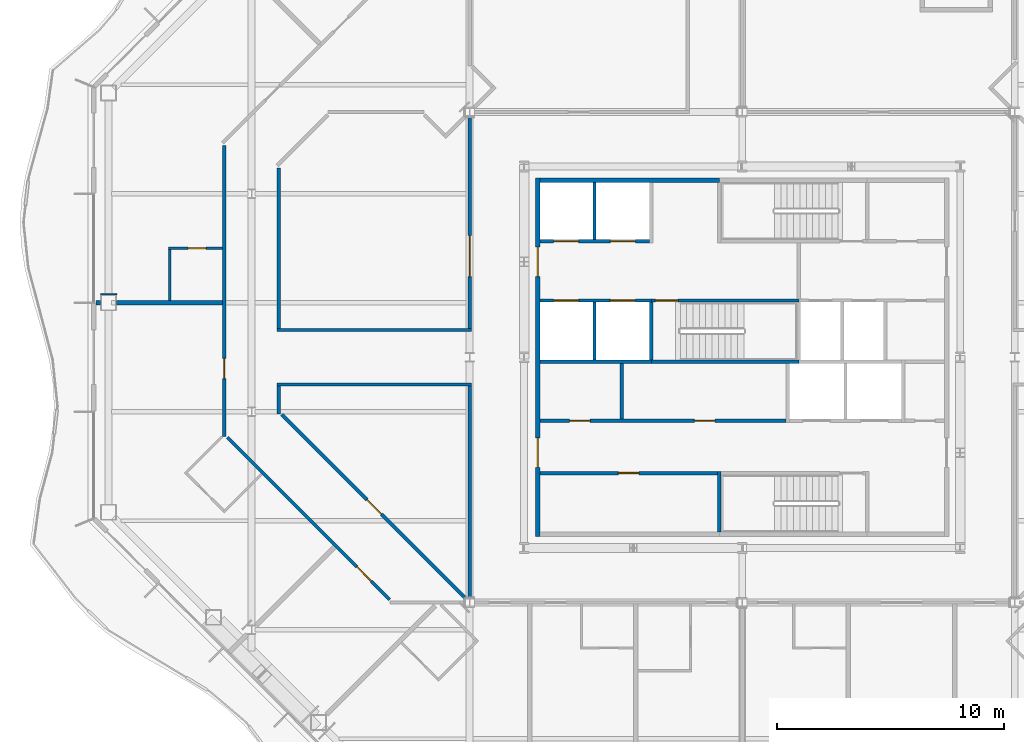
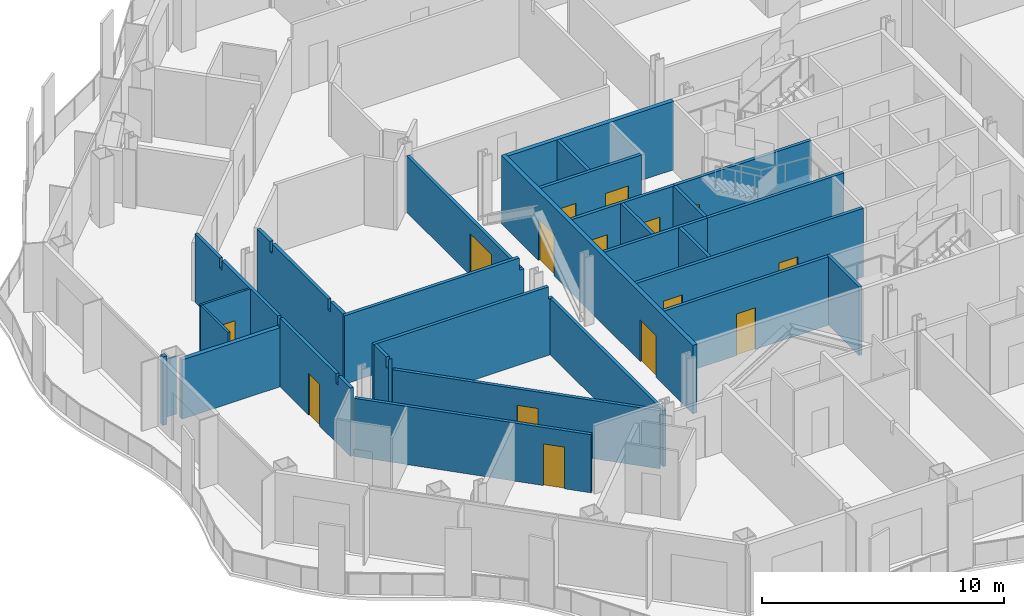
# One storey, part 8 of 21: 28 walls, 15 doors, 15 openings.
"""IFC4 building model written with IfcOpenShell, lengths in metres."""

from ifc_helpers import new_model, si_unit, direction, frame, frame_2d, origin, place, context, subcontext, project, spatial, polyline, rectangle, outline, extrude, material, layer, layer_set, type_object, element, fill, save


model = new_model("IFC4")

# Units and contexts
model_context = context("Model", 3, precision=1e-05, world=origin(), true_north=direction((0.0, 1.0)))
body_context = subcontext(model_context, "Body", "Model", "MODEL_VIEW")
ifc_project = project(units=[si_unit("LENGTHUNIT", "METRE"), si_unit("AREAUNIT", "SQUARE_METRE"), si_unit("VOLUMEUNIT", "CUBIC_METRE"), si_unit("PLANEANGLEUNIT", "RADIAN"), si_unit("MASSUNIT", "GRAM", prefix="KILO")], contexts=[model_context])

# Site, building, storey
site_placement = place(None, origin())
site = spatial("IfcSite", under=ifc_project, at=site_placement, CompositionType="ELEMENT")
building_placement = place(site_placement, origin())
building = spatial("IfcBuilding", under=site, at=building_placement, Name="Cairn Pilgrim Tower", CompositionType="ELEMENT")
storey_placement = place(building_placement, frame((0.0, 0.0, 139.800048828125)))
storey = spatial("IfcBuildingStorey", under=building, at=storey_placement, Name="L34", CompositionType="ELEMENT", Elevation=139.800048828125)

# Wall
ifc_material_1 = material(Name="Concrete C32/40", Category="concrete")
ifc_layer_1 = layer(ifc_material_1, 0.199951171875)
ifc_layer_set_1 = layer_set([ifc_layer_1], Name="CORE OUTER WALL 200 EI 120")
wall_type_1 = type_object("IfcWallType", Name="CORE OUTER WALL 200 EI 120", PredefinedType="SOLIDWALL", material=ifc_layer_set_1)
wall_1_placement = place(storey_placement, frame((-1.699951171875, 10.199951171875, 0.0), z_axis=(0.0, 0.0, 1.0), x_axis=(1.0, 0.0, 0.0)))
element("IfcWall", 1, at=wall_1_placement, inside=storey, type_object=wall_type_1, Name="CW:L34:H12-1", PredefinedType="SOLIDWALL", context=body_context, shape_type="SweptSolid", body=[
    extrude(rectangle(XDim=7.89990234375, YDim=0.199951171875, at=frame_2d((3.949951171875, 0.0))), origin(), (0.0, 0.0, 1.0), 3.449951171875),
])

# Wall, openings, doors
wall_2_placement = place(storey_placement, frame((-1.800048828125, -5.5, 0.0), z_axis=(0.0, 0.0, 1.0), x_axis=(0.0, 1.0, 0.0)))
wall_2 = element("IfcWall", 2, at=wall_2_placement, inside=storey, type_object=wall_type_1, Name="CW:L34:V13", PredefinedType="SOLIDWALL", context=body_context, shape_type="SweptSolid", body=[
    extrude(rectangle(XDim=15.800048828125, YDim=0.199951171875, at=frame_2d((7.89990234375, 0.0))), origin(), (0.0, 0.0, 1.0), 3.449951171875),
])
opening_1_placement = place(wall_2_placement, frame((3.050048828125, 0.0, 0.0)))
opening_1 = element("IfcOpeningElement", 3, at=opening_1_placement, cuts=wall_2, Name="Opening CD-W1", PredefinedType="OPENING", context=body_context, shape_type="SweptSolid", body=[
    extrude(rectangle(XDim=1.300048828125, YDim=2.10009765625, at=frame_2d((0.64990234375, 1.050048828125))), frame((0.0, 0.10986328125, 0.0), z_axis=(0.0, -1.0, 0.0), x_axis=(1.0, 0.0, 0.0)), (0.0, 0.0, 1.0), 0.219970703125),
])
opening_2_placement = place(wall_2_placement, frame((11.449951171875, 0.0, 0.0)))
opening_2 = element("IfcOpeningElement", 4, at=opening_2_placement, cuts=wall_2, Name="Opening CD-W2", PredefinedType="OPENING", context=body_context, shape_type="SweptSolid", body=[
    extrude(rectangle(XDim=1.300048828125, YDim=2.10009765625, at=frame_2d((0.64990234375, 1.050048828125))), frame((0.0, 0.10986328125, 0.0), z_axis=(0.0, -1.0, 0.0), x_axis=(1.0, 0.0, 0.0)), (0.0, 0.0, 1.0), 0.219970703125),
])
ifc_material_2 = material(Name="Painted steel", Category="steel")
door_type_1 = type_object("IfcDoorType", Name="CORE LOBBY DOOR 1300x2100", OperationType="DOUBLE_DOOR_SINGLE_SWING", PredefinedType="DOOR", material=ifc_material_2)
door_1_placement = place(opening_1_placement, origin())
door_1 = element("IfcDoor", 5, at=door_1_placement, inside=storey, type_object=door_type_1, Name="CD-W1", OperationType="DOUBLE_DOOR_SINGLE_SWING", OverallHeight=2.10009765625, OverallWidth=1.300048828125, PredefinedType="DOOR", context=body_context, shape_type="SweptSolid", body=[
    extrude(rectangle(XDim=1.300048828125, YDim=2.10009765625, at=frame_2d((0.64990234375, 1.050048828125))), frame((0.0, 0.02490234375, 0.0), z_axis=(0.0, -1.0, 0.0), x_axis=(1.0, 0.0, 0.0)), (0.0, 0.0, 1.0), 0.050048828125),
])
fill(opening_1, door_1)
door_2_placement = place(opening_2_placement, origin())
door_2 = element("IfcDoor", 6, at=door_2_placement, inside=storey, type_object=door_type_1, Name="CD-W2", OperationType="DOUBLE_DOOR_SINGLE_SWING", OverallHeight=2.10009765625, OverallWidth=1.300048828125, PredefinedType="DOOR", context=body_context, shape_type="SweptSolid", body=[
    extrude(rectangle(XDim=1.300048828125, YDim=2.10009765625, at=frame_2d((0.64990234375, 1.050048828125))), frame((0.0, 0.02490234375, 0.0), z_axis=(0.0, -1.0, 0.0), x_axis=(1.0, 0.0, 0.0)), (0.0, 0.0, 1.0), 0.050048828125),
])
fill(opening_2, door_2)

# Wall, opening, door
ifc_layer_2 = layer(ifc_material_1, 0.14990234375)
ifc_layer_set_2 = layer_set([ifc_layer_2], Name="CORE PARTITION 150 EI 60")
wall_type_2 = type_object("IfcWallType", Name="CORE PARTITION 150 EI 60", PredefinedType="PARTITIONING", material=ifc_layer_set_2)
wall_3_placement = place(storey_placement, frame((-1.699951171875, -2.699951171875, 0.0), z_axis=(0.0, 0.0, 1.0), x_axis=(1.0, 0.0, 0.0)))
wall_3 = element("IfcWall", 7, at=wall_3_placement, inside=storey, type_object=wall_type_2, Name="CW:L34:H02", PredefinedType="PARTITIONING", context=body_context, shape_type="SweptSolid", body=[
    extrude(rectangle(XDim=7.824951171875, YDim=0.14990234375, at=frame_2d((3.91259765625, 0.0))), origin(), (0.0, 0.0, 1.0), 3.449951171875),
])
opening_3_placement = place(wall_3_placement, frame((3.449951171875, 0.0, 0.0)))
opening_3 = element("IfcOpeningElement", 8, at=opening_3_placement, cuts=wall_3, Name="Opening RD-R1W1", PredefinedType="OPENING", context=body_context, shape_type="SweptSolid", body=[
    extrude(rectangle(XDim=0.89990234375, YDim=2.10009765625, at=frame_2d((0.449951171875, 1.050048828125))), frame((0.0, 0.0849609375, 0.0), z_axis=(0.0, -1.0, 0.0), x_axis=(1.0, 0.0, 0.0)), (0.0, 0.0, 1.0), 0.169921875),
])
door_type_2 = type_object("IfcDoorType", Name="SERVICE ROOM DOOR 900x2100", OperationType="SINGLE_SWING_LEFT", PredefinedType="DOOR", material=ifc_material_2)
door_3_placement = place(opening_3_placement, origin())
door_3 = element("IfcDoor", 9, at=door_3_placement, inside=storey, type_object=door_type_2, Name="RD-R1W1", OperationType="SINGLE_SWING_LEFT", OverallHeight=2.10009765625, OverallWidth=0.89990234375, PredefinedType="DOOR", context=body_context, shape_type="SweptSolid", body=[
    extrude(rectangle(XDim=0.89990234375, YDim=2.10009765625, at=frame_2d((0.449951171875, 1.050048828125))), frame((0.0, 0.02490234375, 0.0), z_axis=(0.0, -1.0, 0.0), x_axis=(1.0, 0.0, 0.0)), (0.0, 0.0, 1.0), 0.050048828125),
])
fill(opening_3, door_3)

# Wall, openings, doors
wall_4_placement = place(storey_placement, frame((-1.699951171875, -0.39990234375, 0.0), z_axis=(0.0, 0.0, 1.0), x_axis=(1.0, 0.0, 0.0)))
wall_4 = element("IfcWall", 10, at=wall_4_placement, inside=storey, type_object=wall_type_2, Name="CW:L34:H04", PredefinedType="PARTITIONING", context=body_context, shape_type="SweptSolid", body=[
    extrude(rectangle(XDim=10.824951171875, YDim=0.14990234375, at=frame_2d((5.41259765625, 0.0))), origin(), (0.0, 0.0, 1.0), 3.449951171875),
])
opening_4_placement = place(wall_4_placement, frame((1.300048828125, 0.0, 0.0)))
opening_4 = element("IfcOpeningElement", 11, at=opening_4_placement, cuts=wall_4, Name="Opening RD-R2W1", PredefinedType="OPENING", context=body_context, shape_type="SweptSolid", body=[
    extrude(rectangle(XDim=0.89990234375, YDim=2.10009765625, at=frame_2d((0.449951171875, 1.050048828125))), frame((0.0, 0.0849609375, 0.0), z_axis=(0.0, -1.0, 0.0), x_axis=(1.0, 0.0, 0.0)), (0.0, 0.0, 1.0), 0.169921875),
])
opening_5_placement = place(wall_4_placement, frame((6.800048828125, 0.0, 0.0)))
opening_5 = element("IfcOpeningElement", 12, at=opening_5_placement, cuts=wall_4, Name="Opening RD-R2W2", PredefinedType="OPENING", context=body_context, shape_type="SweptSolid", body=[
    extrude(rectangle(XDim=0.89990234375, YDim=2.10009765625, at=frame_2d((0.449951171875, 1.050048828125))), frame((0.0, 0.0849609375, 0.0), z_axis=(0.0, -1.0, 0.0), x_axis=(1.0, 0.0, 0.0)), (0.0, 0.0, 1.0), 0.169921875),
])
door_4_placement = place(opening_4_placement, origin())
door_4 = element("IfcDoor", 13, at=door_4_placement, inside=storey, type_object=door_type_2, Name="RD-R2W1", OperationType="SINGLE_SWING_RIGHT", OverallHeight=2.10009765625, OverallWidth=0.89990234375, PredefinedType="DOOR", context=body_context, shape_type="SweptSolid", body=[
    extrude(rectangle(XDim=0.89990234375, YDim=2.10009765625, at=frame_2d((0.449951171875, 1.050048828125))), frame((0.0, 0.02490234375, 0.0), z_axis=(0.0, -1.0, 0.0), x_axis=(1.0, 0.0, 0.0)), (0.0, 0.0, 1.0), 0.050048828125),
])
fill(opening_4, door_4)
door_5_placement = place(opening_5_placement, origin())
door_5 = element("IfcDoor", 14, at=door_5_placement, inside=storey, type_object=door_type_2, Name="RD-R2W2", OperationType="SINGLE_SWING_LEFT", OverallHeight=2.10009765625, OverallWidth=0.89990234375, PredefinedType="DOOR", context=body_context, shape_type="SweptSolid", body=[
    extrude(rectangle(XDim=0.89990234375, YDim=2.10009765625, at=frame_2d((0.449951171875, 1.050048828125))), frame((0.0, 0.02490234375, 0.0), z_axis=(0.0, -1.0, 0.0), x_axis=(1.0, 0.0, 0.0)), (0.0, 0.0, 1.0), 0.050048828125),
])
fill(opening_5, door_5)

# Walls
wall_5_placement = place(storey_placement, frame((1.89990234375, -0.324951171875, 0.0), z_axis=(0.0, 0.0, 1.0), x_axis=(0.0, 1.0, 0.0)))
element("IfcWall", 15, at=wall_5_placement, inside=storey, type_object=wall_type_2, Name="CW:L34:V16", PredefinedType="PARTITIONING", context=body_context, shape_type="SweptSolid", body=[
    extrude(rectangle(XDim=2.449951171875, YDim=0.14990234375, at=frame_2d((1.22509765625, 0.0))), origin(), (0.0, 0.0, 1.0), 3.449951171875),
])
ifc_layer_3 = layer(ifc_material_1, 0.14990234375)
ifc_layer_set_3 = layer_set([ifc_layer_3], Name="CORE SHAFT WALL 150 EI 120")
wall_type_3 = type_object("IfcWallType", Name="CORE SHAFT WALL 150 EI 120", PredefinedType="SOLIDWALL", material=ifc_layer_set_3)
wall_6_placement = place(storey_placement, frame((-1.699951171875, 2.199951171875, 0.0), z_axis=(0.0, 0.0, 1.0), x_axis=(1.0, 0.0, 0.0)))
element("IfcWall", 16, at=wall_6_placement, inside=storey, type_object=wall_type_3, Name="CW:L34:H07-1", PredefinedType="SOLIDWALL", context=body_context, shape_type="SweptSolid", body=[
    extrude(rectangle(XDim=4.89990234375, YDim=0.14990234375, at=frame_2d((2.449951171875, 0.0))), origin(), (0.0, 0.0, 1.0), 3.449951171875),
])

# Wall, openings, doors
wall_7_placement = place(storey_placement, frame((-1.699951171875, 4.89990234375, 0.0), z_axis=(0.0, 0.0, 1.0), x_axis=(1.0, 0.0, 0.0)))
wall_7 = element("IfcWall", 17, at=wall_7_placement, inside=storey, type_object=wall_type_3, Name="CW:L34:H09-1", PredefinedType="SOLIDWALL", context=body_context, shape_type="SweptSolid", body=[
    extrude(rectangle(XDim=4.89990234375, YDim=0.14990234375, at=frame_2d((2.449951171875, 0.0))), origin(), (0.0, 0.0, 1.0), 3.449951171875),
])
opening_6_placement = place(wall_7_placement, frame((0.60009765625, 0.0, 0.0)))
opening_6 = element("IfcOpeningElement", 18, at=opening_6_placement, cuts=wall_7, Name="Opening LD-HR1", PredefinedType="OPENING", context=body_context, shape_type="SweptSolid", body=[
    extrude(rectangle(XDim=1.10009765625, YDim=2.10009765625, at=frame_2d((0.550048828125, 1.050048828125))), frame((0.0, 0.0849609375, 0.0), z_axis=(0.0, -1.0, 0.0), x_axis=(1.0, 0.0, 0.0)), (0.0, 0.0, 1.0), 0.169921875),
])
opening_7_placement = place(wall_7_placement, frame((3.10009765625, 0.0, 0.0)))
opening_7 = element("IfcOpeningElement", 19, at=opening_7_placement, cuts=wall_7, Name="Opening LD-HR2", PredefinedType="OPENING", context=body_context, shape_type="SweptSolid", body=[
    extrude(rectangle(XDim=1.10009765625, YDim=2.10009765625, at=frame_2d((0.550048828125, 1.050048828125))), frame((0.0, 0.0849609375, 0.0), z_axis=(0.0, -1.0, 0.0), x_axis=(1.0, 0.0, 0.0)), (0.0, 0.0, 1.0), 0.169921875),
])
ifc_material_3 = material(Name="Stainless steel", Category="steel")
door_type_3 = type_object("IfcDoorType", Name="LIFT LANDING DOOR 1100x2100", OperationType="DOUBLE_DOOR_SLIDING", PredefinedType="DOOR", material=ifc_material_3)
door_6_placement = place(opening_6_placement, origin())
door_6 = element("IfcDoor", 20, at=door_6_placement, inside=storey, type_object=door_type_3, Name="LANDING DOOR HR1", OperationType="DOUBLE_DOOR_SLIDING", OverallHeight=2.10009765625, OverallWidth=1.10009765625, PredefinedType="DOOR", context=body_context, shape_type="SweptSolid", body=[
    extrude(rectangle(XDim=1.10009765625, YDim=2.10009765625, at=frame_2d((0.550048828125, 1.050048828125))), frame((0.0, 0.02490234375, 0.0), z_axis=(0.0, -1.0, 0.0), x_axis=(1.0, 0.0, 0.0)), (0.0, 0.0, 1.0), 0.050048828125),
])
fill(opening_6, door_6)
door_7_placement = place(opening_7_placement, origin())
door_7 = element("IfcDoor", 21, at=door_7_placement, inside=storey, type_object=door_type_3, Name="LANDING DOOR HR2", OperationType="DOUBLE_DOOR_SLIDING", OverallHeight=2.10009765625, OverallWidth=1.10009765625, PredefinedType="DOOR", context=body_context, shape_type="SweptSolid", body=[
    extrude(rectangle(XDim=1.10009765625, YDim=2.10009765625, at=frame_2d((0.550048828125, 1.050048828125))), frame((0.0, 0.02490234375, 0.0), z_axis=(0.0, -1.0, 0.0), x_axis=(1.0, 0.0, 0.0)), (0.0, 0.0, 1.0), 0.050048828125),
])
fill(opening_7, door_7)

wall_8_placement = place(storey_placement, frame((-1.699951171875, 7.5, 0.0), z_axis=(0.0, 0.0, 1.0), x_axis=(1.0, 0.0, 0.0)))
wall_8 = element("IfcWall", 22, at=wall_8_placement, inside=storey, type_object=wall_type_3, Name="CW:L34:H10", PredefinedType="SOLIDWALL", context=body_context, shape_type="SweptSolid", body=[
    extrude(rectangle(XDim=4.824951171875, YDim=0.14990234375, at=frame_2d((2.41259765625, 0.0))), origin(), (0.0, 0.0, 1.0), 3.449951171875),
])
opening_8_placement = place(wall_8_placement, frame((0.60009765625, 0.0, 0.0)))
opening_8 = element("IfcOpeningElement", 23, at=opening_8_placement, cuts=wall_8, Name="Opening LD-HR3", PredefinedType="OPENING", context=body_context, shape_type="SweptSolid", body=[
    extrude(rectangle(XDim=1.10009765625, YDim=2.10009765625, at=frame_2d((0.550048828125, 1.050048828125))), frame((0.0, 0.0849609375, 0.0), z_axis=(0.0, -1.0, 0.0), x_axis=(1.0, 0.0, 0.0)), (0.0, 0.0, 1.0), 0.169921875),
])
opening_9_placement = place(wall_8_placement, frame((3.10009765625, 0.0, 0.0)))
opening_9 = element("IfcOpeningElement", 24, at=opening_9_placement, cuts=wall_8, Name="Opening LD-HR4", PredefinedType="OPENING", context=body_context, shape_type="SweptSolid", body=[
    extrude(rectangle(XDim=1.10009765625, YDim=2.10009765625, at=frame_2d((0.550048828125, 1.050048828125))), frame((0.0, 0.0849609375, 0.0), z_axis=(0.0, -1.0, 0.0), x_axis=(1.0, 0.0, 0.0)), (0.0, 0.0, 1.0), 0.169921875),
])
door_8_placement = place(opening_8_placement, origin())
door_8 = element("IfcDoor", 25, at=door_8_placement, inside=storey, type_object=door_type_3, Name="LANDING DOOR HR3", OperationType="DOUBLE_DOOR_SLIDING", OverallHeight=2.10009765625, OverallWidth=1.10009765625, PredefinedType="DOOR", context=body_context, shape_type="SweptSolid", body=[
    extrude(rectangle(XDim=1.10009765625, YDim=2.10009765625, at=frame_2d((0.550048828125, 1.050048828125))), frame((0.0, 0.02490234375, 0.0), z_axis=(0.0, -1.0, 0.0), x_axis=(1.0, 0.0, 0.0)), (0.0, 0.0, 1.0), 0.050048828125),
])
fill(opening_8, door_8)
door_9_placement = place(opening_9_placement, origin())
door_9 = element("IfcDoor", 26, at=door_9_placement, inside=storey, type_object=door_type_3, Name="LANDING DOOR HR4", OperationType="DOUBLE_DOOR_SLIDING", OverallHeight=2.10009765625, OverallWidth=1.10009765625, PredefinedType="DOOR", context=body_context, shape_type="SweptSolid", body=[
    extrude(rectangle(XDim=1.10009765625, YDim=2.10009765625, at=frame_2d((0.550048828125, 1.050048828125))), frame((0.0, 0.02490234375, 0.0), z_axis=(0.0, -1.0, 0.0), x_axis=(1.0, 0.0, 0.0)), (0.0, 0.0, 1.0), 0.050048828125),
])
fill(opening_9, door_9)

# Walls
wall_9_placement = place(storey_placement, frame((0.699951171875, 2.27490234375, 0.0), z_axis=(0.0, 0.0, 1.0), x_axis=(0.0, 1.0, 0.0)))
element("IfcWall", 27, at=wall_9_placement, inside=storey, type_object=wall_type_3, Name="CW:L34:V14", PredefinedType="SOLIDWALL", context=body_context, shape_type="SweptSolid", body=[
    extrude(rectangle(XDim=2.550048828125, YDim=0.14990234375, at=frame_2d((1.27490234375, 0.0))), origin(), (0.0, 0.0, 1.0), 3.449951171875),
])
wall_10_placement = place(storey_placement, frame((0.699951171875, 7.574951171875, 0.0), z_axis=(0.0, 0.0, 1.0), x_axis=(0.0, 1.0, 0.0)))
element("IfcWall", 28, at=wall_10_placement, inside=storey, type_object=wall_type_3, Name="CW:L34:V15", PredefinedType="SOLIDWALL", context=body_context, shape_type="SweptSolid", body=[
    extrude(rectangle(XDim=2.525146484375, YDim=0.14990234375, at=frame_2d((1.2626953125, 0.0))), origin(), (0.0, 0.0, 1.0), 3.449951171875),
])
ifc_material_4 = material(Name="Gypsum partition")
ifc_layer_4 = layer(ifc_material_4, 0.10009765625)
ifc_layer_set_4 = layer_set([ifc_layer_4], Name="PARTITION 100 DRYWALL")
wall_type_4 = type_object("IfcWallType", Name="PARTITION 100 DRYWALL", PredefinedType="PARTITIONING", material=ifc_layer_set_4)
wall_11_placement = place(storey_placement, frame((-18.0, 4.89990234375, 0.0), z_axis=(0.0, 0.0, 1.0), x_axis=(0.0, 1.0, 0.0)))
element("IfcWall", 29, at=wall_11_placement, inside=storey, type_object=wall_type_4, Name="PARTITION W062", PredefinedType="PARTITIONING", context=body_context, shape_type="SweptSolid", body=[
    extrude(rectangle(XDim=2.25, YDim=0.10009765625, at=frame_2d((1.125, 0.0))), origin(), (0.0, 0.0, 1.0), 3.449951171875),
])

# Wall, opening, door
wall_12_placement = place(storey_placement, frame((-18.050048828125, 7.199951171875, 0.0), z_axis=(0.0, 0.0, 1.0), x_axis=(1.0, 0.0, 0.0)))
wall_12 = element("IfcWall", 30, at=wall_12_placement, inside=storey, type_object=wall_type_4, Name="PARTITION W065", PredefinedType="PARTITIONING", context=body_context, shape_type="SweptSolid", body=[
    extrude(rectangle(XDim=2.375, YDim=0.10009765625, at=frame_2d((1.1875, 0.0))), origin(), (0.0, 0.0, 1.0), 3.449951171875),
])
opening_10_placement = place(wall_12_placement, frame((0.85009765625, 0.0, 0.0)))
opening_10 = element("IfcOpeningElement", 31, at=opening_10_placement, cuts=wall_12, Name="Opening 3417A", PredefinedType="OPENING", context=body_context, shape_type="SweptSolid", body=[
    extrude(rectangle(XDim=0.800048828125, YDim=2.10009765625, at=frame_2d((0.39990234375, 1.050048828125))), frame((0.0, 0.06005859375, 0.0), z_axis=(0.0, -1.0, 0.0), x_axis=(1.0, 0.0, 0.0)), (0.0, 0.0, 1.0), 0.1201171875),
])
ifc_material_5 = material(Name="Timber door leaf", Category="wood")
door_type_4 = type_object("IfcDoorType", Name="WC DOOR 800x2100", OperationType="NOTDEFINED", PredefinedType="DOOR", material=ifc_material_5)
door_10_placement = place(opening_10_placement, origin())
door_10 = element("IfcDoor", 32, at=door_10_placement, inside=storey, type_object=door_type_4, Name="DOOR 3417A", OperationType="SINGLE_SWING_RIGHT", OverallHeight=2.10009765625, OverallWidth=0.800048828125, PredefinedType="DOOR", context=body_context, shape_type="SweptSolid", body=[
    extrude(rectangle(XDim=0.800048828125, YDim=2.10009765625, at=frame_2d((0.39990234375, 1.050048828125))), frame((0.0, 0.02490234375, 0.0), z_axis=(0.0, -1.0, 0.0), x_axis=(1.0, 0.0, 0.0)), (0.0, 0.0, 1.0), 0.050048828125),
])
fill(opening_10, door_10)

ifc_layer_5 = layer(ifc_material_4, 0.14990234375)
ifc_layer_set_5 = layer_set([ifc_layer_5], Name="PARTITION 150 DRYWALL EI 60")
wall_type_5 = type_object("IfcWallType", Name="PARTITION 150 DRYWALL EI 60", PredefinedType="PARTITIONING", material=ifc_layer_set_5)
wall_13_placement = place(storey_placement, frame((-8.322021484375, -8.27197265625, 0.0), z_axis=(0.0, 0.0, 1.0), x_axis=(-0.707106781187, 0.707106781187, 0.0)))
wall_13 = element("IfcWall", 33, at=wall_13_placement, inside=storey, type_object=wall_type_5, Name="PARTITION W029", PredefinedType="PARTITIONING", context=body_context, shape_type="SweptSolid", body=[
    extrude(rectangle(XDim=10.111572265625, YDim=0.14990234375, at=frame_2d((5.0556640625, 0.0))), origin(), (0.0, 0.0, 1.0), 2.929931640625),
])
opening_11_placement = place(wall_13_placement, frame((1.138916015625, 0.0, 0.0)))
opening_11 = element("IfcOpeningElement", 34, at=opening_11_placement, cuts=wall_13, Name="Opening 3419", PredefinedType="OPENING", context=body_context, shape_type="SweptSolid", body=[
    extrude(rectangle(XDim=0.89990234375, YDim=2.10009765625, at=frame_2d((0.449951171875, 1.050048828125))), frame((0.0, 0.0849609375, 0.0), z_axis=(0.0, -1.0, 0.0), x_axis=(1.0, 0.0, 0.0)), (0.0, 0.0, 1.0), 0.169921875),
])
door_type_5 = type_object("IfcDoorType", Name="SERVICE DOOR 900x2100 FD30S", OperationType="NOTDEFINED", PredefinedType="DOOR", material=ifc_material_5)
door_11_placement = place(opening_11_placement, origin())
door_11 = element("IfcDoor", 35, at=door_11_placement, inside=storey, type_object=door_type_5, Name="DOOR 3419", OperationType="SINGLE_SWING_RIGHT", OverallHeight=2.10009765625, OverallWidth=0.89990234375, PredefinedType="DOOR", context=body_context, shape_type="SweptSolid", body=[
    extrude(rectangle(XDim=0.89990234375, YDim=2.10009765625, at=frame_2d((0.449951171875, 1.050048828125))), frame((0.0, 0.02490234375, 0.0), z_axis=(0.0, -1.0, 0.0), x_axis=(1.0, 0.0, 0.0)), (0.0, 0.0, 1.0), 0.050048828125),
])
fill(opening_11, door_11)

wall_14_placement = place(storey_placement, frame((-5.008544921875, -8.19140625, 0.0), z_axis=(0.0, 0.0, 1.0), x_axis=(-0.707106781187, 0.707106781187, 0.0)))
wall_14 = element("IfcWall", 36, at=wall_14_placement, inside=storey, type_object=wall_type_5, Name="PARTITION W031", PredefinedType="PARTITIONING", context=body_context, shape_type="SweptSolid", body=[
    extrude(rectangle(XDim=11.403564453125, YDim=0.14990234375, at=frame_2d((5.70166015625, 0.0))), origin(), (0.0, 0.0, 1.0), 2.929931640625),
])
opening_12_placement = place(wall_14_placement, frame((5.194580078125, 0.0, 0.0)))
opening_12 = element("IfcOpeningElement", 37, at=opening_12_placement, cuts=wall_14, Name="Opening 3430", PredefinedType="OPENING", context=body_context, shape_type="SweptSolid", body=[
    extrude(rectangle(XDim=0.89990234375, YDim=2.10009765625, at=frame_2d((0.449951171875, 1.050048828125))), frame((0.0, 0.0849609375, 0.0), z_axis=(0.0, -1.0, 0.0), x_axis=(1.0, 0.0, 0.0)), (0.0, 0.0, 1.0), 0.169921875),
])
door_12_placement = place(opening_12_placement, frame((0.89990234375, 0.0, 0.0), z_axis=(0.0, 0.0, 1.0), x_axis=(-1.0, 0.0, 0.0)))
door_12 = element("IfcDoor", 38, at=door_12_placement, inside=storey, type_object=door_type_5, Name="DOOR 3430", OperationType="SINGLE_SWING_RIGHT", OverallHeight=2.10009765625, OverallWidth=0.89990234375, PredefinedType="DOOR", context=body_context, shape_type="SweptSolid", body=[
    extrude(rectangle(XDim=0.89990234375, YDim=2.10009765625, at=frame_2d((0.449951171875, 1.050048828125))), frame((0.0, 0.02490234375, 0.0), z_axis=(0.0, -1.0, 0.0), x_axis=(1.0, 0.0, 0.0)), (0.0, 0.0, 1.0), 0.050048828125),
])
fill(opening_12, door_12)

# Wall
wall_15_placement = place(storey_placement, frame((-4.800048828125, -8.1875, 0.0), z_axis=(0.0, 0.0, 1.0), x_axis=(0.0, 1.0, 0.0)))
element("IfcWall", 39, at=wall_15_placement, inside=storey, type_object=wall_type_5, Name="PARTITION W032", PredefinedType="PARTITIONING", context=body_context, shape_type="SweptSolid", body=[
    extrude(rectangle(XDim=9.3125, YDim=0.14990234375, at=frame_2d((4.65625, 0.0))), origin(), (0.0, 0.0, 1.0), 2.829833984375),
])

# Wall, opening, door
wall_16_placement = place(storey_placement, frame((-15.60009765625, -1.10009765625, 0.0), z_axis=(0.0, 0.0, 1.0), x_axis=(0.0, 1.0, 0.0)))
wall_16 = element("IfcWall", 40, at=wall_16_placement, inside=storey, type_object=wall_type_5, Name="PARTITION W041", PredefinedType="PARTITIONING", context=body_context, shape_type="SweptSolid", body=[
    extrude(outline(polyline([(0.0, 0.0), (12.833984375, 0.0), (12.833984375, 3.449951171875), (10.795166015625, 3.449951171875), (10.793212890625, 2.97998046875), (10.60498046875, 2.97998046875), (10.60302734375, 3.449951171875), (5.9951171875, 3.449951171875), (5.9931640625, 2.97998046875), (5.80517578125, 2.97998046875), (5.802978515625, 3.449951171875), (1.195068359375, 3.449951171875), (1.193115234375, 2.97998046875), (1.005126953125, 2.97998046875), (1.003173828125, 3.449951171875), (0.0, 3.449951171875), (0.0, 0.0)])), frame((0.0, 0.074951171875, 0.0), z_axis=(0.0, -1.0, 0.0), x_axis=(1.0, 0.0, 0.0)), (0.0, 0.0, 1.0), 0.14990234375),
])
opening_13_placement = place(wall_16_placement, frame((2.552978515625, 0.0, 0.0)))
opening_13 = element("IfcOpeningElement", 41, at=opening_13_placement, cuts=wall_16, Name="Opening 3418", PredefinedType="OPENING", context=body_context, shape_type="SweptSolid", body=[
    extrude(rectangle(XDim=0.89990234375, YDim=2.10009765625, at=frame_2d((0.449951171875, 1.050048828125))), frame((0.0, 0.0849609375, 0.0), z_axis=(0.0, -1.0, 0.0), x_axis=(1.0, 0.0, 0.0)), (0.0, 0.0, 1.0), 0.169921875),
])
door_type_6 = type_object("IfcDoorType", Name="ROOM DOOR 900x2100 FD30S", OperationType="NOTDEFINED", PredefinedType="DOOR", material=ifc_material_5)
door_13_placement = place(opening_13_placement, origin())
door_13 = element("IfcDoor", 42, at=door_13_placement, inside=storey, type_object=door_type_6, Name="DOOR 3418", OperationType="SINGLE_SWING_RIGHT", OverallHeight=2.10009765625, OverallWidth=0.89990234375, PredefinedType="DOOR", context=body_context, shape_type="SweptSolid", body=[
    extrude(rectangle(XDim=0.89990234375, YDim=2.10009765625, at=frame_2d((0.449951171875, 1.050048828125))), frame((0.0, 0.02490234375, 0.0), z_axis=(0.0, -1.0, 0.0), x_axis=(1.0, 0.0, 0.0)), (0.0, 0.0, 1.0), 0.050048828125),
])
fill(opening_13, door_13)

# Walls
wall_17_placement = place(storey_placement, frame((-13.199951171875, -0.106201171875, 0.0), z_axis=(0.0, 0.0, 1.0), x_axis=(0.0, 1.0, 0.0)))
element("IfcWall", 43, at=wall_17_placement, inside=storey, type_object=wall_type_5, Name="PARTITION W043", PredefinedType="PARTITIONING", context=body_context, shape_type="SweptSolid", body=[
    extrude(outline(polyline([(0.0, 0.0), (1.231201171875, 0.0), (1.231201171875, 3.449951171875), (0.2060546875, 3.449951171875), (0.2041015625, 2.929931640625), (0.006103515625, 2.929931640625), (0.004150390625, 3.449951171875), (0.0, 3.449951171875), (0.0, 0.0)])), frame((0.0, 0.074951171875, 0.0), z_axis=(0.0, -1.0, 0.0), x_axis=(1.0, 0.0, 0.0)), (0.0, 0.0, 1.0), 0.14990234375),
])
for number, where, z_axis, x_axis, name in (
    (44, (-13.27490234375, 1.199951171875, 0.0), (0.0, 0.0, 1.0), (1.0, 0.0, 0.0), "PARTITION W047"),
    (45, (-13.27490234375, 3.60009765625, 0.0), (0.0, 0.0, 1.0), (1.0, 0.0, 0.0), "PARTITION W051"),
):
    element("IfcWall", number, at=place(storey_placement, frame(where, z_axis=z_axis, x_axis=x_axis)), inside=storey, type_object=wall_type_5, Name=name, PredefinedType="PARTITIONING", context=body_context, shape_type="SweptSolid", body=[
        extrude(outline(polyline([(0.0, 0.0), (8.5498046875, 0.0), (8.550048828125, 2.829833984375), (8.324951171875, 2.829833984375), (8.322998046875, 3.449951171875), (0.0, 3.449951171875), (0.0, 0.0)])), frame((0.0, 0.074951171875, 0.0), z_axis=(0.0, -1.0, 0.0), x_axis=(1.0, 0.0, 0.0)), (0.0, 0.0, 1.0), 0.14990234375),
    ])
wall_18_placement = place(storey_placement, frame((-13.199951171875, 3.675048828125, 0.0), z_axis=(0.0, 0.0, 1.0), x_axis=(0.0, 1.0, 0.0)))
element("IfcWall", 46, at=wall_18_placement, inside=storey, type_object=wall_type_5, Name="PARTITION W053", PredefinedType="PARTITIONING", context=body_context, shape_type="SweptSolid", body=[
    extrude(outline(polyline([(0.0, 0.0), (7.06494140625, 0.0), (7.06494140625, 3.449951171875), (6.02490234375, 3.449951171875), (6.02294921875, 2.929931640625), (5.824951171875, 2.929931640625), (5.822998046875, 3.449951171875), (1.22509765625, 3.449951171875), (1.222900390625, 2.929931640625), (1.02490234375, 2.929931640625), (1.02294921875, 3.449951171875), (0.0, 3.449951171875), (0.0, 0.0)])), frame((0.0, 0.074951171875, 0.0), z_axis=(0.0, -1.0, 0.0), x_axis=(1.0, 0.0, 0.0)), (0.0, 0.0, 1.0), 0.14990234375),
])

# Wall, opening, door
wall_19_placement = place(storey_placement, frame((-4.800048828125, 3.675048828125, 0.0), z_axis=(0.0, 0.0, 1.0), x_axis=(0.0, 1.0, 0.0)))
wall_19 = element("IfcWall", 47, at=wall_19_placement, inside=storey, type_object=wall_type_5, Name="PARTITION W054", PredefinedType="PARTITIONING", context=body_context, shape_type="SweptSolid", body=[
    extrude(rectangle(XDim=9.3125, YDim=0.14990234375, at=frame_2d((4.65625, 0.0))), origin(), (0.0, 0.0, 1.0), 2.829833984375),
])
opening_14_placement = place(wall_19_placement, frame((2.27490234375, 0.0, 0.0)))
opening_14 = element("IfcOpeningElement", 48, at=opening_14_placement, cuts=wall_19, Name="Opening 3429", PredefinedType="OPENING", context=body_context, shape_type="SweptSolid", body=[
    extrude(rectangle(XDim=1.800048828125, YDim=2.10009765625, at=frame_2d((0.89990234375, 1.050048828125))), frame((0.0, 0.0849609375, 0.0), z_axis=(0.0, -1.0, 0.0), x_axis=(1.0, 0.0, 0.0)), (0.0, 0.0, 1.0), 0.169921875),
])
door_type_7 = type_object("IfcDoorType", Name="DOOR PAIR 1800x2100 FD60S", OperationType="NOTDEFINED", PredefinedType="DOOR", material=ifc_material_5)
door_14_placement = place(opening_14_placement, origin())
door_14 = element("IfcDoor", 49, at=door_14_placement, inside=storey, type_object=door_type_7, Name="DOOR 3429", OperationType="DOUBLE_DOOR_SINGLE_SWING", OverallHeight=2.10009765625, OverallWidth=1.800048828125, PredefinedType="DOOR", context=body_context, shape_type="SweptSolid", body=[
    extrude(rectangle(XDim=1.800048828125, YDim=2.10009765625, at=frame_2d((0.89990234375, 1.050048828125))), frame((0.0, 0.02490234375, 0.0), z_axis=(0.0, -1.0, 0.0), x_axis=(1.0, 0.0, 0.0)), (0.0, 0.0, 1.0), 0.050048828125),
])
fill(opening_14, door_14)

# Walls
ifc_layer_6 = layer(ifc_material_4, 0.050048828125)
ifc_layer_set_6 = layer_set([ifc_layer_6], Name="PARTITION 50 DRYWALL EI 60")
wall_type_6 = type_object("IfcWallType", Name="PARTITION 50 DRYWALL EI 60", PredefinedType="PARTITIONING", material=ifc_layer_set_6)
wall_20_placement = place(storey_placement, frame((-21.050048828125, 5.175048828125, 0.0), z_axis=(0.0, 0.0, 1.0), x_axis=(1.0, 0.0, 0.0)))
element("IfcWall", 50, at=wall_20_placement, inside=storey, type_object=wall_type_6, Name="COLUMN CASING WC21", PredefinedType="PARTITIONING", context=body_context, shape_type="SweptSolid", body=[
    extrude(rectangle(XDim=0.699951171875, YDim=0.050048828125, at=frame_2d((0.35009765625, 0.0))), origin(), (0.0, 0.0, 1.0), 2.929931640625),
])
ifc_layer_7 = layer(ifc_material_4, 0.199951171875)
ifc_layer_set_7 = layer_set([ifc_layer_7], Name="SHAFT WALL 200 GYPSUM EI 60")
wall_type_7 = type_object("IfcWallType", Name="SHAFT WALL 200 GYPSUM EI 60", PredefinedType="PARTITIONING", material=ifc_layer_set_7)
wall_21_placement = place(storey_placement, frame((-21.25, 4.800048828125, 0.0), z_axis=(0.0, 0.0, 1.0), x_axis=(1.0, 0.0, 0.0)))
element("IfcWall", 51, at=wall_21_placement, inside=storey, type_object=wall_type_7, Name="PARTITION W058", PredefinedType="PARTITIONING", context=body_context, shape_type="SweptSolid", body=[
    extrude(rectangle(XDim=0.199951171875, YDim=0.199951171875, at=frame_2d((0.10009765625, 0.0))), origin(), (0.0, 0.0, 1.0), 3.449951171875),
])
wall_22_placement = place(storey_placement, frame((-20.35009765625, 4.800048828125, 0.0), z_axis=(0.0, 0.0, 1.0), x_axis=(1.0, 0.0, 0.0)))
element("IfcWall", 52, at=wall_22_placement, inside=storey, type_object=wall_type_7, Name="PARTITION W059", PredefinedType="PARTITIONING", context=body_context, shape_type="SweptSolid", body=[
    extrude(rectangle(XDim=4.675048828125, YDim=0.199951171875, at=frame_2d((2.33740234375, 0.0))), origin(), (0.0, 0.0, 1.0), 2.97998046875),
])
ifc_material_6 = material(Name="Concrete C35/45", Category="concrete")
ifc_layer_8 = layer(ifc_material_6, 0.14990234375)
ifc_layer_set_8 = layer_set([ifc_layer_8], Name="STAIR SHAFT WALL 150 EI 120")
wall_type_8 = type_object("IfcWallType", Name="STAIR SHAFT WALL 150 EI 120", PredefinedType="SOLIDWALL", material=ifc_layer_set_8)
wall_23_placement = place(storey_placement, frame((3.199951171875, 2.199951171875, 0.0), z_axis=(0.0, 0.0, 1.0), x_axis=(1.0, 0.0, 0.0)))
element("IfcWall", 53, at=wall_23_placement, inside=storey, type_object=wall_type_8, Name="CW:L34:H07-2", PredefinedType="SOLIDWALL", context=body_context, shape_type="SweptSolid", body=[
    extrude(rectangle(XDim=6.5, YDim=0.14990234375, at=frame_2d((3.25, 0.0))), origin(), (0.0, 0.0, 1.0), 3.449951171875),
])

# Wall, opening, door
wall_24_placement = place(storey_placement, frame((3.199951171875, 4.89990234375, 0.0), z_axis=(0.0, 0.0, 1.0), x_axis=(1.0, 0.0, 0.0)))
wall_24 = element("IfcWall", 54, at=wall_24_placement, inside=storey, type_object=wall_type_8, Name="CW:L34:H09-2", PredefinedType="SOLIDWALL", context=body_context, shape_type="SweptSolid", body=[
    extrude(rectangle(XDim=6.5, YDim=0.14990234375, at=frame_2d((3.25, 0.0))), origin(), (0.0, 0.0, 1.0), 3.449951171875),
])
opening_15_placement = place(wall_24_placement, frame((0.175048828125, 0.0, 0.0)))
opening_15 = element("IfcOpeningElement", 55, at=opening_15_placement, cuts=wall_24, Name="Opening SD-B", PredefinedType="OPENING", context=body_context, shape_type="SweptSolid", body=[
    extrude(rectangle(XDim=1.0, YDim=2.10009765625, at=frame_2d((0.5, 1.050048828125))), frame((0.0, 0.0849609375, 0.0), z_axis=(0.0, -1.0, 0.0), x_axis=(1.0, 0.0, 0.0)), (0.0, 0.0, 1.0), 0.169921875),
])
door_type_8 = type_object("IfcDoorType", Name="STAIR DOOR FD60S 1000x2100", OperationType="SINGLE_SWING_LEFT", PredefinedType="DOOR", material=ifc_material_2)
door_15_placement = place(opening_15_placement, origin())
door_15 = element("IfcDoor", 56, at=door_15_placement, inside=storey, type_object=door_type_8, Name="SD-B", OperationType="SINGLE_SWING_RIGHT", OverallHeight=2.10009765625, OverallWidth=1.0, PredefinedType="DOOR", context=body_context, shape_type="SweptSolid", body=[
    extrude(rectangle(XDim=1.0, YDim=2.10009765625, at=frame_2d((0.5, 1.050048828125))), frame((0.0, 0.02490234375, 0.0), z_axis=(0.0, -1.0, 0.0), x_axis=(1.0, 0.0, 0.0)), (0.0, 0.0, 1.0), 0.050048828125),
])
fill(opening_15, door_15)

# Walls
wall_25_placement = place(storey_placement, frame((3.199951171875, 2.27490234375, 0.0), z_axis=(0.0, 0.0, 1.0), x_axis=(0.0, 1.0, 0.0)))
element("IfcWall", 57, at=wall_25_placement, inside=storey, type_object=wall_type_8, Name="CW:L34:V17", PredefinedType="SOLIDWALL", context=body_context, shape_type="SweptSolid", body=[
    extrude(rectangle(XDim=2.550048828125, YDim=0.14990234375, at=frame_2d((1.27490234375, 0.0))), origin(), (0.0, 0.0, 1.0), 3.449951171875),
])
wall_26_placement = place(storey_placement, frame((6.199951171875, -5.300048828125, 0.0), z_axis=(0.0, 0.0, 1.0), x_axis=(0.0, 1.0, 0.0)))
element("IfcWall", 58, at=wall_26_placement, inside=storey, type_object=wall_type_8, Name="CW:L34:V19", PredefinedType="SOLIDWALL", context=body_context, shape_type="SweptSolid", body=[
    extrude(rectangle(XDim=2.675048828125, YDim=0.14990234375, at=frame_2d((1.33740234375, 0.0))), origin(), (0.0, 0.0, 1.0), 3.449951171875),
])

save(model, "model.ifc")
